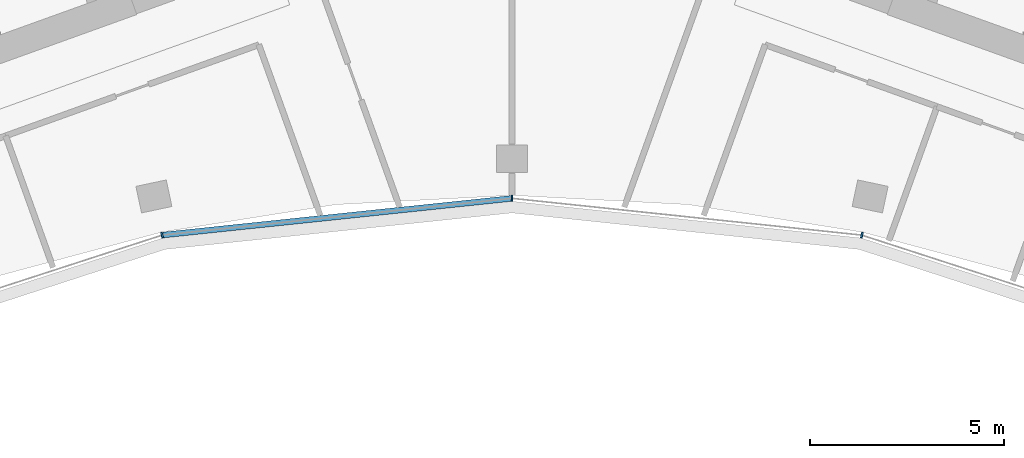
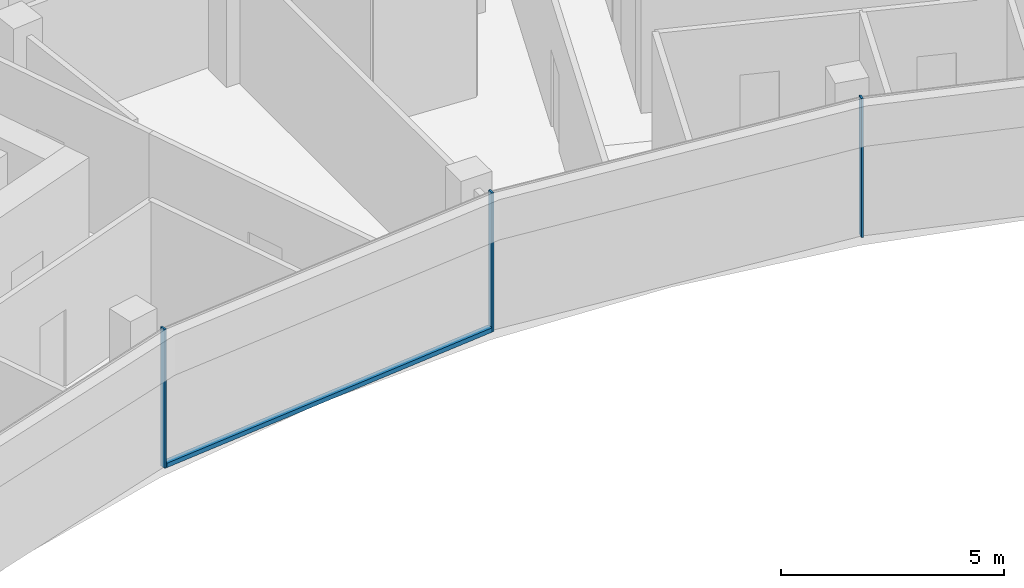
# One storey, part 5 of 18: 4 members, 1 element without a shape of its own.
"""IFC4 building model written with IfcOpenShell, lengths in metres."""

from ifc_helpers import new_model, si_unit, direction, frame, origin, origin_2d, place, context, subcontext, project, spatial, rectangle, extrude, material, layer, layer_set, material_profile, profile_set, type_object, element, aggregate, save


model = new_model("IFC4")

# Units and contexts
model_context = context("Model", 3, precision=1e-05, world=origin(), true_north=direction((0.0, 1.0)))
body_context = subcontext(model_context, "Body", "Model", "MODEL_VIEW")
ifc_project = project(units=[si_unit("LENGTHUNIT", "METRE"), si_unit("AREAUNIT", "SQUARE_METRE"), si_unit("VOLUMEUNIT", "CUBIC_METRE"), si_unit("PLANEANGLEUNIT", "RADIAN"), si_unit("MASSUNIT", "GRAM", prefix="KILO")], contexts=[model_context])

# Site, building, storey
site_placement = place(None, origin())
site = spatial("IfcSite", under=ifc_project, at=site_placement, CompositionType="ELEMENT")
building_placement = place(site_placement, origin())
building = spatial("IfcBuilding", under=site, at=building_placement, Name="Stone Belt Terrace Tower", CompositionType="ELEMENT")
storey_placement = place(building_placement, frame((0.0, 0.0, 299.800048828125)))
storey = spatial("IfcBuildingStorey", under=building, at=storey_placement, Name="L73", CompositionType="ELEMENT", Elevation=299.800048828125)

# Curtain wall, members
ifc_material = material(Name="Aluminium 6063-T6 anodised frame", Category="aluminium")
ifc_layer = layer(ifc_material, 0.14990234375)
ifc_layer_set = layer_set([ifc_layer], Name="CW-B unitised concave-face curtain wall")
curtain_wall_type = type_object("IfcCurtainWallType", Name="CW-B unitised concave-face curtain wall", PredefinedType="NOTDEFINED", material=ifc_layer_set)
curtain_wall_placement = place(storey_placement, origin())
curtain_wall = element("IfcCurtainWall", 1, at=curtain_wall_placement, inside=storey, type_object=curtain_wall_type, Name="CW-B concave face L73", PredefinedType="NOTDEFINED")
ifc_material_profile_1 = material_profile(ifc_material, rectangle(XDim=0.14990234375, YDim=0.050048828125, at=origin_2d()), Name="Aluminium 6063-T6 50x150")
ifc_profile_set_1 = profile_set([ifc_material_profile_1], Name="Aluminium 6063-T6 anodised frame")
member_type_1 = type_object("IfcMemberType", Name="CW-B mullion 50 x 150", PredefinedType="MULLION", material=ifc_profile_set_1)
member_1_placement = place(storey_placement, frame((-9.028564453125, 42.4755859375, 0.0), z_axis=(0.0, 0.0, 1.0), x_axis=(-0.207911690818, 0.978147600734, 0.0)))
member_1 = element("IfcMember", 2, at=member_1_placement, type_object=member_type_1, Name="CW-B mullion 4", PredefinedType="MULLION", context=body_context, shape_type="SweptSolid", body=[
    extrude(rectangle(XDim=0.14990234375, YDim=0.050048828125, at=origin_2d()), origin(), (0.0, 0.0, 1.0), 3.800048828125),
])
member_2_placement = place(storey_placement, frame((0.0, 43.424560546875, 0.0), z_axis=(0.0, 0.0, 1.0), x_axis=(0.0, 1.0, 0.0)))
member_2 = element("IfcMember", 3, at=member_2_placement, type_object=member_type_1, Name="CW-B mullion 5", PredefinedType="MULLION", context=body_context, shape_type="SweptSolid", body=[
    extrude(rectangle(XDim=0.14990234375, YDim=0.050048828125, at=origin_2d()), origin(), (0.0, 0.0, 1.0), 3.800048828125),
])
member_3_placement = place(storey_placement, frame((9.028564453125, 42.4755859375, 0.0), z_axis=(0.0, 0.0, 1.0), x_axis=(0.207911690818, 0.978147600734, 0.0)))
member_3 = element("IfcMember", 4, at=member_3_placement, type_object=member_type_1, Name="CW-B mullion 6", PredefinedType="MULLION", context=body_context, shape_type="SweptSolid", body=[
    extrude(rectangle(XDim=0.14990234375, YDim=0.050048828125, at=origin_2d()), origin(), (0.0, 0.0, 1.0), 3.800048828125),
])
ifc_material_profile_2 = material_profile(ifc_material, rectangle(XDim=0.14990234375, YDim=0.1201171875, at=origin_2d()), Name="Aluminium 6063-T6 150x120")
ifc_profile_set_2 = profile_set([ifc_material_profile_2], Name="Aluminium 6063-T6 anodised frame")
member_type_2 = type_object("IfcMemberType", Name="CW-B transom 120 x 150", PredefinedType="USERDEFINED", material=ifc_profile_set_2)
member_4_placement = place(storey_placement, frame((-8.995849609375, 42.47900390625, 0.06005859375), z_axis=(0.994521323407, 0.104533904969, 0.0), x_axis=(-0.104533904969, 0.994521323407, 0.0)))
member_4 = element("IfcMember", 5, at=member_4_placement, type_object=member_type_2, Name="CW-B transom 4.1", ObjectType="TRANSOM", PredefinedType="USERDEFINED", context=body_context, shape_type="SweptSolid", body=[
    extrude(rectangle(XDim=0.14990234375, YDim=0.1201171875, at=origin_2d()), origin(), (0.0, 0.0, 1.0), 9.0126953125),
])
aggregate(curtain_wall, [member_1, member_2, member_3, member_4])

save(model, "model.ifc")
